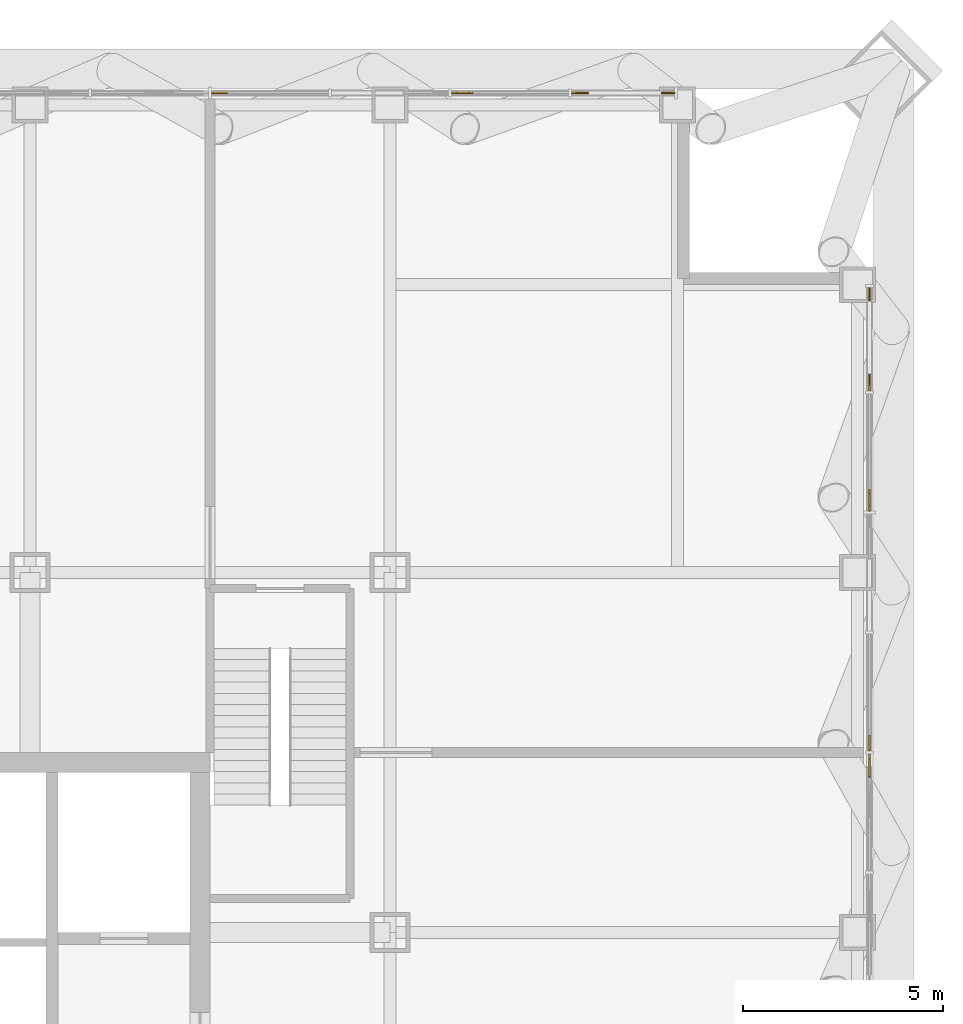
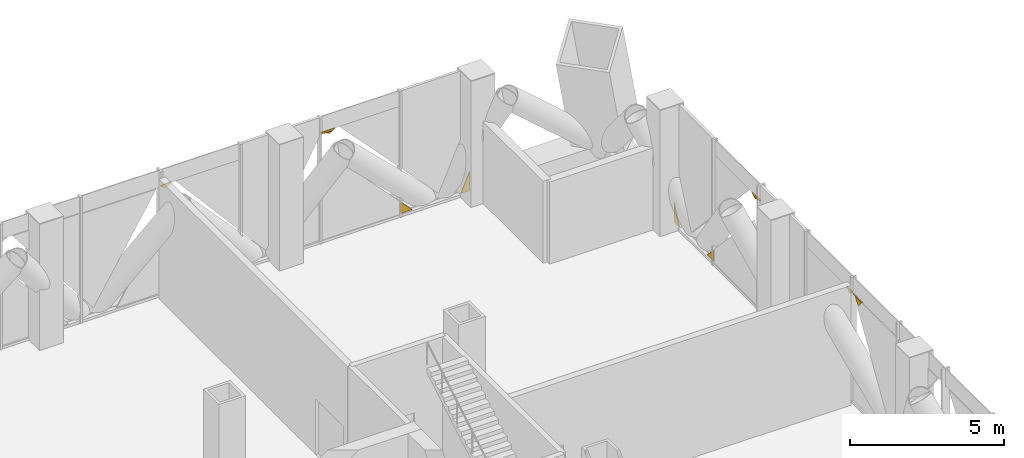
# One storey, part 25 of 26: 12 coverings.
"""IFC4 building model written with IfcOpenShell, lengths in metres."""

from ifc_helpers import new_model, si_unit, direction, frame, origin, place, context, subcontext, project, spatial, polyline, outline, extrude, material, layer, layer_set, type_object, element, save


model = new_model("IFC4")

# Units and contexts
model_context = context("Model", 3, precision=1e-05, world=origin(), true_north=direction((0.0, 1.0)))
body_context = subcontext(model_context, "Body", "Model", "MODEL_VIEW")
ifc_project = project(units=[si_unit("LENGTHUNIT", "METRE"), si_unit("AREAUNIT", "SQUARE_METRE"), si_unit("VOLUMEUNIT", "CUBIC_METRE"), si_unit("PLANEANGLEUNIT", "RADIAN"), si_unit("MASSUNIT", "GRAM", prefix="KILO")], contexts=[model_context])

# Site, building, storey
site_placement = place(None, origin())
site = spatial("IfcSite", under=ifc_project, at=site_placement, CompositionType="ELEMENT")
building_placement = place(site_placement, origin())
building = spatial("IfcBuilding", under=site, at=building_placement, Name="Malebo Sky Hospital", CompositionType="ELEMENT")
storey_placement = place(building_placement, frame((0.0, 0.0, 95.0)))
storey = spatial("IfcBuildingStorey", under=building, at=storey_placement, Name="L22", CompositionType="ELEMENT", Elevation=95.0)

# Coverings
ifc_material = material(Name="Anodised aluminium, natural silver insulated infill panel", Category="aluminium")
ifc_layer = layer(ifc_material, 0.0400390625)
ifc_layer_set = layer_set([ifc_layer], Name="BRACE INFILL PANEL 40")
covering_type = type_object("IfcCoveringType", Name="BRACE INFILL PANEL 40", PredefinedType="CLADDING", material=ifc_layer_set)
covering_1_placement = place(storey_placement, frame((69.23583984375, 87.5, 4.212890625), z_axis=(0.0, 0.0, 1.0), x_axis=(1.0, 0.0, 0.0)))
element("IfcCovering", 1, at=covering_1_placement, inside=storey, type_object=covering_type, Name="Brace infill panel 11.3", PredefinedType="CLADDING", context=body_context, shape_type="SweptSolid", body=[
    extrude(outline(polyline([(-0.015625, 0.0), (0.1982421875, 0.138427734375), (-0.1982421875, 0.138427734375), (-0.1982421875, 0.08642578125), (-0.015625, 0.0)])), frame((0.0, 0.02001953125, 0.0), z_axis=(0.0, -1.0, 0.0), x_axis=(1.0, 0.0, 0.0)), (0.0, 0.0, 1.0), 0.0400390625),
])
covering_2_placement = place(storey_placement, frame((75.329345703125, 87.5, 4.21240234375), z_axis=(0.0, 0.0, 1.0), x_axis=(1.0, 0.0, 0.0)))
element("IfcCovering", 2, at=covering_2_placement, inside=storey, type_object=covering_type, Name="Brace infill panel 13.3", PredefinedType="CLADDING", context=body_context, shape_type="SweptSolid", body=[
    extrude(outline(polyline([(0.03759765625, 0.0), (0.14794921875, 0.077880859375), (-0.14794921875, 0.077880859375), (0.03759765625, 0.0)])), frame((0.0, 0.02001953125, 0.0), z_axis=(0.0, -1.0, 0.0), x_axis=(1.0, 0.0, 0.0)), (0.0, 0.0, 1.0), 0.0400390625),
])
covering_3_placement = place(storey_placement, frame((75.30908203125, 87.5, 4.2900390625), z_axis=(0.0, 0.0, 1.0), x_axis=(1.0, 0.0, 0.0)))
element("IfcCovering", 3, at=covering_3_placement, inside=storey, type_object=covering_type, Name="Brace infill panel 13.4", PredefinedType="CLADDING", context=body_context, shape_type="SweptSolid", body=[
    extrude(outline(polyline([(-0.271484375, 0.0), (0.168212890625, 0.0), (0.271484375, 0.072998046875), (-0.271484375, 0.072998046875), (-0.271484375, 0.0)])), frame((0.0, 0.02001953125, 0.0), z_axis=(0.0, -1.0, 0.0), x_axis=(1.0, 0.0, 0.0)), (0.0, 0.0, 1.0), 0.0400390625),
])
covering_4_placement = place(storey_placement, frame((78.253662109375, 87.5, 0.10009765625), z_axis=(0.0, 0.0, 1.0), x_axis=(1.0, 0.0, 0.0)))
element("IfcCovering", 4, at=covering_4_placement, inside=storey, type_object=covering_type, Name="Brace infill panel 14.1", PredefinedType="CLADDING", context=body_context, shape_type="SweptSolid", body=[
    extrude(outline(polyline([(-0.216064453125, 0.0), (0.2158203125, 0.0), (-0.216064453125, 0.457763671875), (-0.216064453125, 0.0)])), frame((0.0, 0.02001953125, 0.0), z_axis=(0.0, -1.0, 0.0), x_axis=(1.0, 0.0, 0.0)), (0.0, 0.0, 1.0), 0.0400390625),
])
covering_5_placement = place(storey_placement, frame((80.458740234375, 87.5, 0.10009765625), z_axis=(0.0, 0.0, 1.0), x_axis=(1.0, 0.0, 0.0)))
element("IfcCovering", 5, at=covering_5_placement, inside=storey, type_object=covering_type, Name="Brace infill panel 14.2", PredefinedType="CLADDING", context=body_context, shape_type="SweptSolid", body=[
    extrude(outline(polyline([(-0.166259765625, 0.0), (0.166015625, 0.0), (0.166015625, 0.75830078125), (-0.166259765625, 0.0)])), frame((0.0, 0.02001953125, 0.0), z_axis=(0.0, -1.0, 0.0), x_axis=(1.0, 0.0, 0.0)), (0.0, 0.0, 1.0), 0.0400390625),
])
covering_6_placement = place(storey_placement, frame((85.5, 82.458740234375, 0.10009765625), z_axis=(0.0, 0.0, 1.0), x_axis=(0.0, -1.0, 0.0)))
element("IfcCovering", 6, at=covering_6_placement, inside=storey, type_object=covering_type, Name="Brace infill panel 1.1", PredefinedType="CLADDING", context=body_context, shape_type="SweptSolid", body=[
    extrude(outline(polyline([(-0.166015625, 0.0), (0.166259765625, 0.0), (-0.166015625, 0.75830078125), (-0.166015625, 0.0)])), frame((0.0, 0.02001953125, 0.0), z_axis=(0.0, -1.0, 0.0), x_axis=(1.0, 0.0, 0.0)), (0.0, 0.0, 1.0), 0.0400390625),
])
covering_7_placement = place(storey_placement, frame((85.5, 80.253662109375, 0.10009765625), z_axis=(0.0, 0.0, 1.0), x_axis=(0.0, -1.0, 0.0)))
element("IfcCovering", 7, at=covering_7_placement, inside=storey, type_object=covering_type, Name="Brace infill panel 1.2", PredefinedType="CLADDING", context=body_context, shape_type="SweptSolid", body=[
    extrude(outline(polyline([(-0.2158203125, 0.0), (0.216064453125, 0.0), (0.216064453125, 0.457763671875), (-0.2158203125, 0.0)])), frame((0.0, 0.02001953125, 0.0), z_axis=(0.0, -1.0, 0.0), x_axis=(1.0, 0.0, 0.0)), (0.0, 0.0, 1.0), 0.0400390625),
])
covering_8_placement = place(storey_placement, frame((85.5, 77.329345703125, 4.21240234375), z_axis=(0.0, 0.0, 1.0), x_axis=(0.0, -1.0, 0.0)))
element("IfcCovering", 8, at=covering_8_placement, inside=storey, type_object=covering_type, Name="Brace infill panel 2.3", PredefinedType="CLADDING", context=body_context, shape_type="SweptSolid", body=[
    extrude(outline(polyline([(-0.03759765625, 0.0), (0.14794921875, 0.077880859375), (-0.14794921875, 0.077880859375), (-0.03759765625, 0.0)])), frame((0.0, 0.02001953125, 0.0), z_axis=(0.0, -1.0, 0.0), x_axis=(1.0, 0.0, 0.0)), (0.0, 0.0, 1.0), 0.0400390625),
])
covering_9_placement = place(storey_placement, frame((85.5, 77.30908203125, 4.2900390625), z_axis=(0.0, 0.0, 1.0), x_axis=(0.0, -1.0, 0.0)))
element("IfcCovering", 9, at=covering_9_placement, inside=storey, type_object=covering_type, Name="Brace infill panel 2.4", PredefinedType="CLADDING", context=body_context, shape_type="SweptSolid", body=[
    extrude(outline(polyline([(-0.168212890625, 0.0), (0.271484375, 0.0), (0.271484375, 0.072998046875), (-0.271484375, 0.072998046875), (-0.168212890625, 0.0)])), frame((0.0, 0.02001953125, 0.0), z_axis=(0.0, -1.0, 0.0), x_axis=(1.0, 0.0, 0.0)), (0.0, 0.0, 1.0), 0.0400390625),
])
covering_10_placement = place(storey_placement, frame((85.5, 71.23583984375, 4.212890625), z_axis=(0.0, 0.0, 1.0), x_axis=(0.0, -1.0, 0.0)))
element("IfcCovering", 10, at=covering_10_placement, inside=storey, type_object=covering_type, Name="Brace infill panel 4.3", PredefinedType="CLADDING", context=body_context, shape_type="SweptSolid", body=[
    extrude(outline(polyline([(0.015625, 0.0), (0.1982421875, 0.08642578125), (0.1982421875, 0.138427734375), (-0.1982421875, 0.138427734375), (0.015625, 0.0)])), frame((0.0, 0.02001953125, 0.0), z_axis=(0.0, -1.0, 0.0), x_axis=(1.0, 0.0, 0.0)), (0.0, 0.0, 1.0), 0.0400390625),
])
covering_11_placement = place(storey_placement, frame((85.5, 70.615478515625, 4.005126953125), z_axis=(0.0, 0.0, 1.0), x_axis=(0.0, -1.0, 0.0)))
element("IfcCovering", 11, at=covering_11_placement, inside=storey, type_object=covering_type, Name="Brace infill panel 5.2", PredefinedType="CLADDING", context=body_context, shape_type="SweptSolid", body=[
    extrude(outline(polyline([(-0.0380859375, 0.0), (0.2216796875, 0.30224609375), (-0.2216796875, 0.30224609375), (-0.0380859375, 0.0)])), frame((0.0, 0.02001953125, 0.0), z_axis=(0.0, -1.0, 0.0), x_axis=(1.0, 0.0, 0.0)), (0.0, 0.0, 1.0), 0.0400390625),
])
covering_12_placement = place(storey_placement, frame((85.5, 70.664794921875, 4.307373046875), z_axis=(0.0, 0.0, 1.0), x_axis=(0.0, -1.0, 0.0)))
element("IfcCovering", 12, at=covering_12_placement, inside=storey, type_object=covering_type, Name="Brace infill panel 5.4", PredefinedType="CLADDING", context=body_context, shape_type="SweptSolid", body=[
    extrude(outline(polyline([(-0.297607421875, 0.0), (0.27099609375, 0.0), (0.297607421875, 0.03076171875), (-0.297607421875, 0.03076171875), (-0.297607421875, 0.0)])), frame((0.0, 0.02001953125, 0.0), z_axis=(0.0, -1.0, 0.0), x_axis=(1.0, 0.0, 0.0)), (0.0, 0.0, 1.0), 0.0400390625),
])

save(model, "model.ifc")
